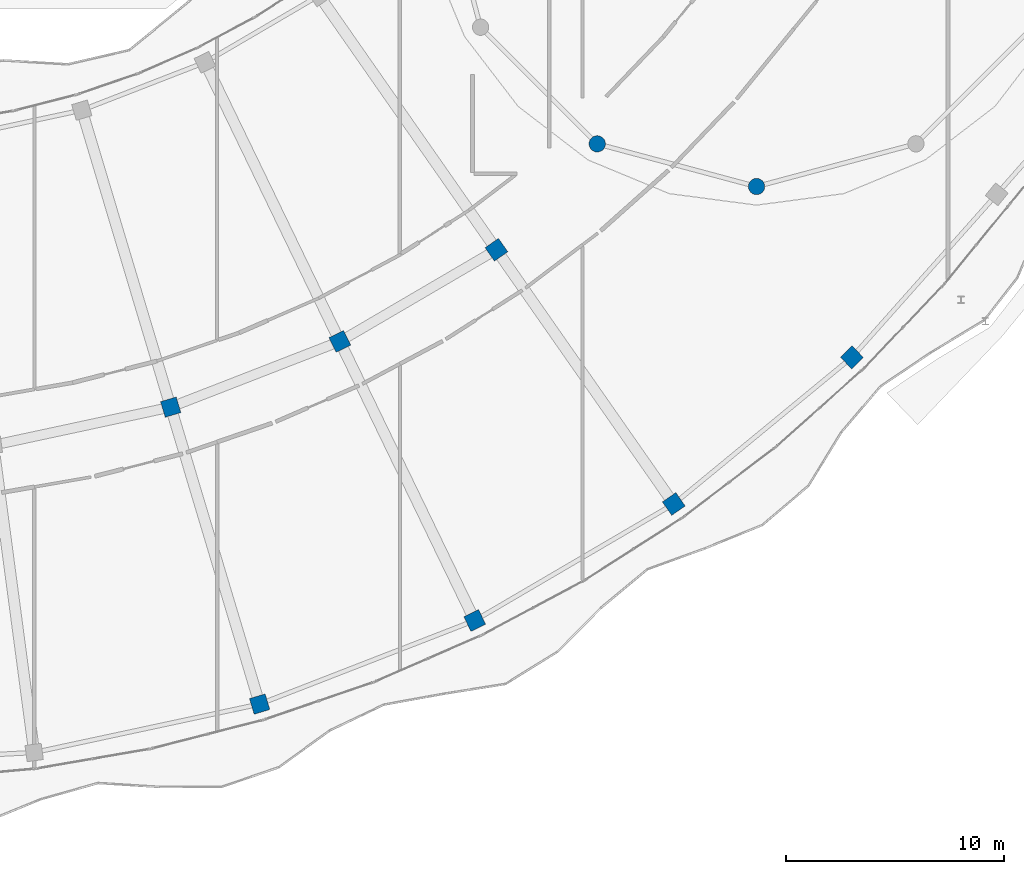
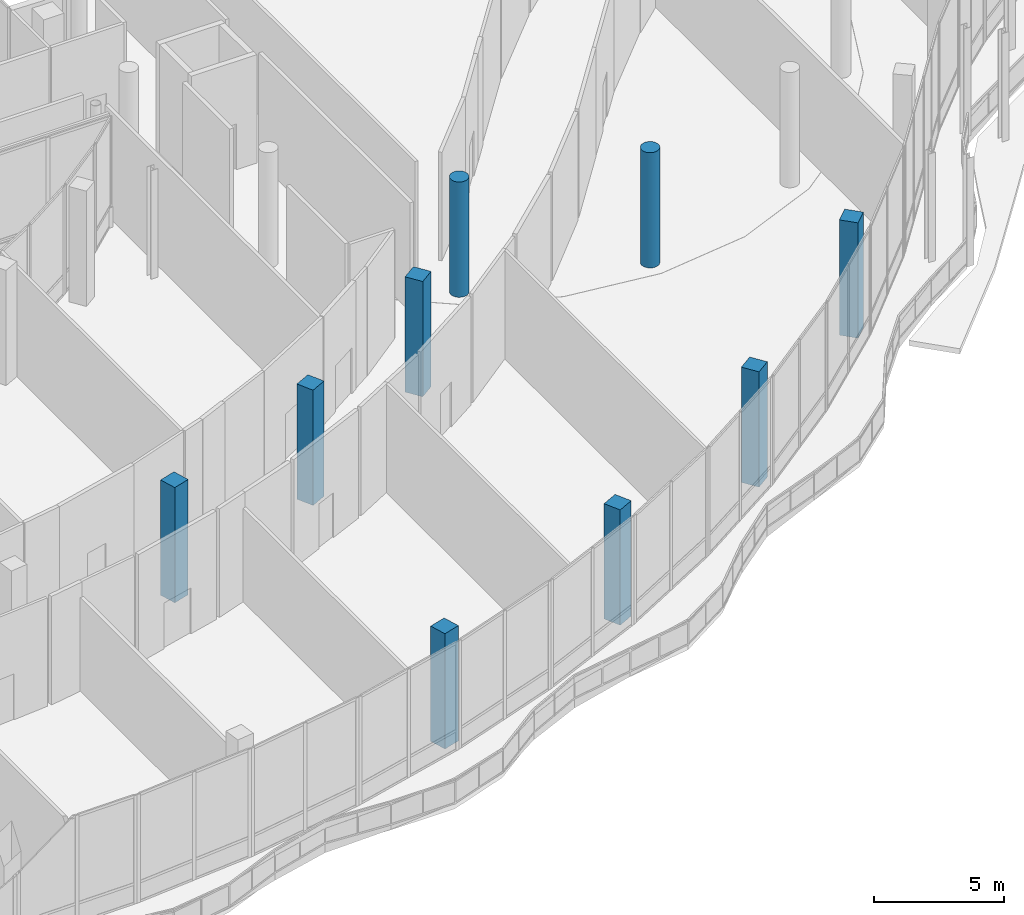
# One storey, part 4 of 158: 9 columns.
"""IFC4 building model written with IfcOpenShell, lengths in metres."""

from ifc_helpers import new_model, si_unit, direction, frame, origin, origin_2d, place, context, subcontext, project, spatial, rectangle, circle, extrude, material, material_profile, profile_set, type_object, element, save


model = new_model("IFC4")

# Units and contexts
model_context = context("Model", 3, precision=1e-05, world=origin(), true_north=direction((0.0, 1.0)))
body_context = subcontext(model_context, "Body", "Model", "MODEL_VIEW")
ifc_project = project(units=[si_unit("LENGTHUNIT", "METRE"), si_unit("AREAUNIT", "SQUARE_METRE"), si_unit("VOLUMEUNIT", "CUBIC_METRE"), si_unit("PLANEANGLEUNIT", "RADIAN"), si_unit("MASSUNIT", "GRAM", prefix="KILO")], contexts=[model_context])

# Site, building, storey
site_placement = place(None, origin())
site = spatial("IfcSite", under=ifc_project, at=site_placement, CompositionType="ELEMENT")
building_placement = place(site_placement, origin())
building = spatial("IfcBuilding", under=site, at=building_placement, Name="Selatvlak General Hospital", CompositionType="ELEMENT")
storey_placement = place(building_placement, origin())
storey = spatial("IfcBuildingStorey", under=building, at=storey_placement, Name="L00", CompositionType="ELEMENT", Elevation=0.0)

# Columns
ifc_material = material(Name="Concrete C50/60", Category="concrete")
ifc_material_profile_1 = material_profile(ifc_material, rectangle(XDim=0.75, YDim=0.75, at=origin_2d()), Name="RC-COL 750x750")
ifc_profile_set_1 = profile_set([ifc_material_profile_1], Name="Concrete C50/60")
column_type_1 = type_object("IfcColumnType", Name="COL-RC75", PredefinedType="COLUMN", material=ifc_profile_set_1)
for number, where, z_axis, x_axis, name in (
    (1, (71.06689453125, 29.208984375, 0.0), (0.0, 0.0, 1.0), (-0.286858965796, 0.957972825159, 0.0), "Column 329 on L00"),
    (2, (75.155029296875, 15.556884765625, 0.0), (0.0, 0.0, 1.0), (-0.286858965796, 0.957972825159, 0.0), "Column 330 on L00"),
    (3, (78.842041015625, 32.22998046875, 0.0), (0.0, 0.0, 1.0), (-0.435199672053, 0.900333963285, 0.0), "Column 332 on L00"),
    (4, (85.0439453125, 19.39990234375, 0.0), (0.0, 0.0, 1.0), (-0.435199672053, 0.900333963285, 0.0), "Column 333 on L00"),
    (5, (86.041015625, 36.444091796875, 0.0), (0.0, 0.0, 1.0), (-0.572188815713, 0.820121917262, 0.0), "Column 335 on L00"),
    (6, (94.195068359375, 24.757080078125, 0.0), (0.0, 0.0, 1.0), (-0.572188815713, 0.820121917262, 0.0), "Column 336 on L00"),
    (7, (102.383056640625, 31.4970703125, 0.0), (0.0, 0.0, 1.0), (-0.694834117591, 0.719170041806, 0.0), "Column 337 on L00"),
):
    element("IfcColumn", number, at=place(storey_placement, frame(where, z_axis=z_axis, x_axis=x_axis)), inside=storey, type_object=column_type_1, Name=name, PredefinedType="COLUMN", context=body_context, shape_type="SweptSolid", body=[
        extrude(rectangle(XDim=0.75, YDim=0.75, at=origin_2d()), origin(), (0.0, 0.0, 1.0), 5.39990234375),
    ])
ifc_material_profile_2 = material_profile(ifc_material, circle(Radius=0.375, at=origin_2d()), Name="RC-COL D750")
ifc_profile_set_2 = profile_set([ifc_material_profile_2], Name="Concrete C50/60")
column_type_2 = type_object("IfcColumnType", Name="COL-RCD75", PredefinedType="COLUMN", material=ifc_profile_set_2)
for number, where, z_axis, x_axis, name in (
    (8, (90.675048828125, 41.31298828125, 0.0), (0.0, 0.0, 1.0), (-0.5, -0.866025403784, 0.0), "Column 033 on L00"),
    (9, (98.0, 39.35009765625, 0.0), (0.0, 0.0, 1.0), (0.0, -1.0, 0.0), "Column 034 on L00"),
):
    element("IfcColumn", number, at=place(storey_placement, frame(where, z_axis=z_axis, x_axis=x_axis)), inside=storey, type_object=column_type_2, Name=name, PredefinedType="COLUMN", context=body_context, shape_type="SweptSolid", body=[
        extrude(circle(Radius=0.375, at=origin_2d()), origin(), (0.0, 0.0, 1.0), 5.39990234375),
    ])

save(model, "model.ifc")
